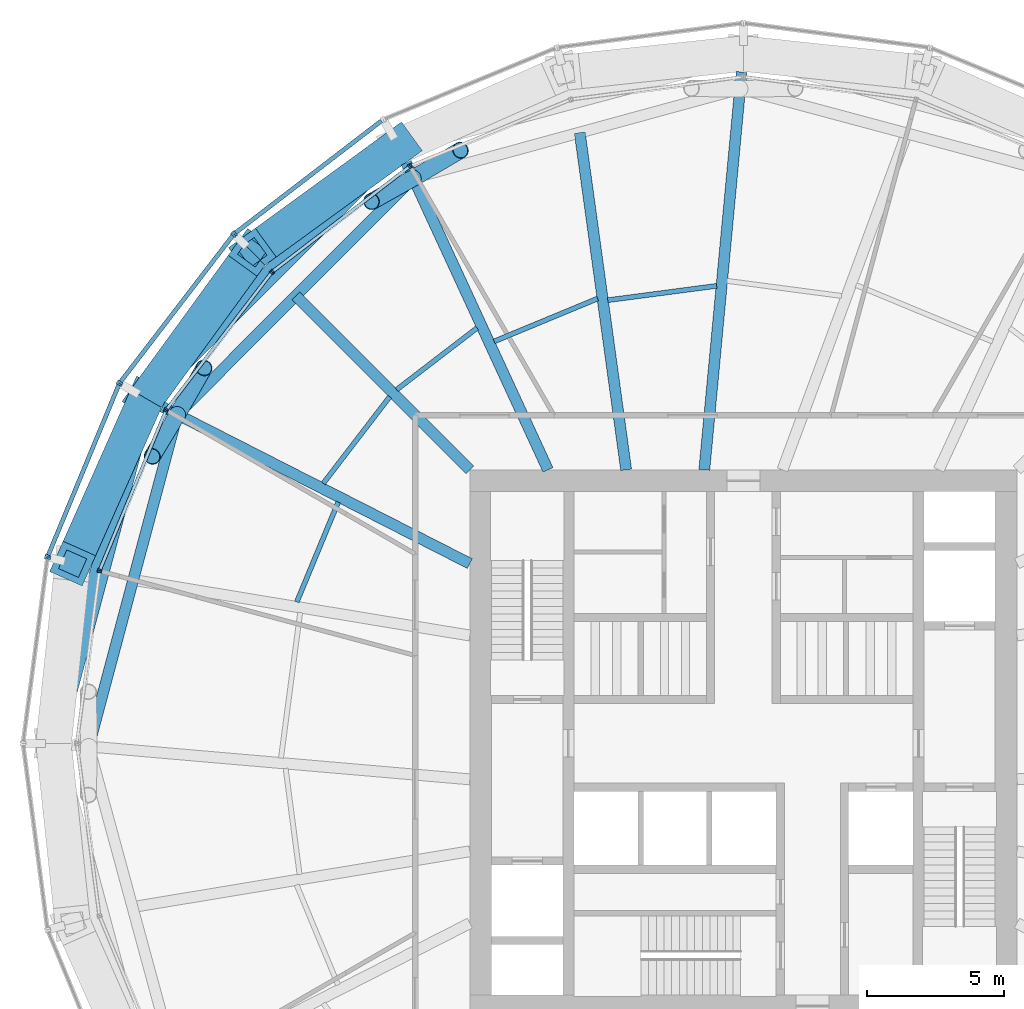
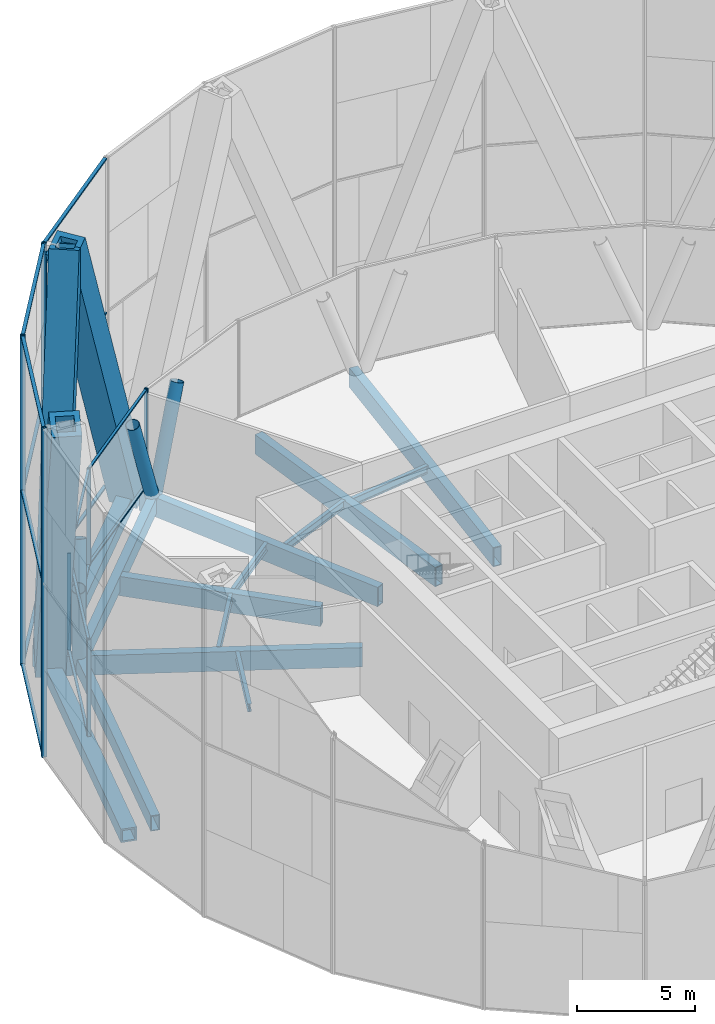
# One storey, part 6 of 16: 36 members, 14 beams, 9 elements without a shape of their own.
"""IFC4 building model written with IfcOpenShell, lengths in metres."""

from ifc_helpers import new_model, si_unit, direction, frame, origin, origin_2d, place, context, subcontext, project, spatial, rectangle, hollow_rectangle, hollow_circle, i_section, extrude, material, material_profile, profile_set, type_object, element, aggregate, save


model = new_model("IFC4")

# Units and contexts
model_context = context("Model", 3, precision=1e-05, world=origin(), true_north=direction((0.0, 1.0)))
body_context = subcontext(model_context, "Body", "Model", "MODEL_VIEW")
ifc_project = project(units=[si_unit("LENGTHUNIT", "METRE"), si_unit("AREAUNIT", "SQUARE_METRE"), si_unit("VOLUMEUNIT", "CUBIC_METRE"), si_unit("PLANEANGLEUNIT", "RADIAN"), si_unit("MASSUNIT", "GRAM", prefix="KILO")], contexts=[model_context])

# Site, building, storey
site_placement = place(None, origin())
site = spatial("IfcSite", under=ifc_project, at=site_placement, CompositionType="ELEMENT")
building_placement = place(site_placement, origin())
building = spatial("IfcBuilding", under=site, at=building_placement, Name="Golbaran Civic Tower", CompositionType="ELEMENT")
storey_placement = place(building_placement, frame((0.0, 0.0, 85.0)))
storey = spatial("IfcBuildingStorey", under=building, at=storey_placement, Name="L20", CompositionType="ELEMENT", Elevation=85.0)

# Members
ifc_material_1 = material(Name="Steel S355", Category="steel")
ifc_material_profile_1 = material_profile(ifc_material_1, hollow_circle(Radius=0.304931640625, WallThickness=0.02490234375, at=origin_2d()), Name="CHS 610.0x25")
ifc_profile_set_1 = profile_set([ifc_material_profile_1], Name="Steel S355")
member_type_1 = type_object("IfcMemberType", Name="BELT TRUSS DIAGONAL CHS 610.0x25", PredefinedType="BRACE", material=ifc_profile_set_1)
member_1_placement = place(storey_placement, frame((-12.065185546875, 20.6630859375, -0.60009765625), z_axis=(-0.288582653462, -0.161915925956, 0.943664816046), x_axis=(0.489315556037, -0.872106809181, 0.0)))
element("IfcMember", 1, at=member_1_placement, inside=storey, type_object=member_type_1, Name="Belt truss diagonal 120.00R L20", PredefinedType="BRACE", context=body_context, shape_type="SweptSolid", body=[
    extrude(hollow_circle(Radius=0.304931640625, WallThickness=0.02490234375, at=origin_2d()), origin(), (0.0, 0.0, 1.0), 5.298583984375),
])
member_2_placement = place(storey_placement, frame((-12.065185546875, 20.6630859375, -0.60009765625), z_axis=(0.319905106981, 0.189078107017, 0.928391184778), x_axis=(-0.50881561717, 0.860875523943, 0.0)))
element("IfcMember", 2, at=member_2_placement, inside=storey, type_object=member_type_1, Name="Belt truss diagonal 120.00L L20", PredefinedType="BRACE", context=body_context, shape_type="SweptSolid", body=[
    extrude(hollow_circle(Radius=0.304931640625, WallThickness=0.02490234375, at=origin_2d()), origin(), (0.0, 0.0, 1.0), 5.3857421875),
])
member_3_placement = place(storey_placement, frame((-20.688232421875, 12.021728515625, -0.60009765625), z_axis=(-0.17373343176, -0.288666900773, 0.941534978154), x_axis=(0.856793813137, -0.515659152707, 0.0)))
element("IfcMember", 3, at=member_3_placement, inside=storey, type_object=member_type_1, Name="Belt truss diagonal 150.00R L20", PredefinedType="BRACE", context=body_context, shape_type="SweptSolid", body=[
    extrude(hollow_circle(Radius=0.304931640625, WallThickness=0.02490234375, at=origin_2d()), origin(), (0.0, 0.0, 1.0), 5.310546875),
])
member_4_placement = place(storey_placement, frame((-20.688232421875, 12.021728515625, -0.60009765625), z_axis=(0.181029971918, 0.316779719821, 0.931063240805), x_axis=(-0.86822780606, 0.496165775507, 0.0)))
element("IfcMember", 4, at=member_4_placement, inside=storey, type_object=member_type_1, Name="Belt truss diagonal 150.00L L20", PredefinedType="BRACE", context=body_context, shape_type="SweptSolid", body=[
    extrude(hollow_circle(Radius=0.304931640625, WallThickness=0.02490234375, at=origin_2d()), origin(), (0.0, 0.0, 1.0), 5.3701171875),
])
ifc_material_profile_2 = material_profile(ifc_material_1, hollow_rectangle(XDim=1.300048828125, YDim=1.300048828125, WallThickness=0.25, at=origin_2d()), Name="BOX 1300x1300x250")
ifc_profile_set_2 = profile_set([ifc_material_profile_2], Name="Steel S355")
member_type_2 = type_object("IfcMemberType", Name="DIAGRID DIAGONAL BOX 1300x1300x250", PredefinedType="BRACE", material=ifc_profile_set_2)
for number, where, z_axis, x_axis, name in (
    (5, (-12.60546875, 21.833251953125, -0.7099609375), (-0.292875852707, -0.213080937127, 0.932105277924), (0.588316728149, -0.80863058771, 0.0), "Diagonal D04-04R L20-L24"),
    (6, (-21.833251953125, 12.60546875, -0.7099609375), (-0.14710040459, -0.330972563789, 0.932104410991), (0.913810024533, -0.406141895231, 0.0), "Diagonal D04-05R L20-L24"),
    (7, (-21.833251953125, 12.60546875, -0.7099609375), (0.213080937127, 0.292875852707, 0.932105277924), (-0.80863058771, 0.588316728149, 0.0), "Diagonal D04-05L L20-L24"),
):
    element("IfcMember", number, at=place(storey_placement, frame(where, z_axis=z_axis, x_axis=x_axis)), inside=storey, type_object=member_type_2, Name=name, PredefinedType="BRACE", context=body_context, shape_type="SweptSolid", body=[
        extrude(hollow_rectangle(XDim=1.300048828125, YDim=1.300048828125, WallThickness=0.25, at=origin_2d()), origin(), (0.0, 0.0, 1.0), 18.23828125),
    ])

# Beams
ifc_material_profile_3 = material_profile(ifc_material_1, hollow_rectangle(XDim=0.699951171875, YDim=0.699951171875, WallThickness=0.080078125, at=origin_2d()), Name="BOX 700x700x80")
ifc_profile_set_3 = profile_set([ifc_material_profile_3], Name="Steel S355")
beam_type_1 = type_object("IfcBeamType", Name="DIAGRID RING TIE BOX 700x700x80", PredefinedType="BEAM", material=ifc_profile_set_3)
for number, where, z_axis, x_axis, name in (
    (8, (-12.60546875, 21.833251953125, -0.7099609375), (-0.707106781187, -0.707106781187, 0.0), (0.707106781187, -0.707106781187, 0.0), "Ring tie 120.00 L20"),
    (9, (-21.833251953125, 12.60546875, -0.7099609375), (-0.258823361579, -0.965924669682, 0.0), (0.965924669682, -0.258823361579, 0.0), "Ring tie 150.00 L20"),
):
    element("IfcBeam", number, at=place(storey_placement, frame(where, z_axis=z_axis, x_axis=x_axis)), inside=storey, type_object=beam_type_1, Name=name, PredefinedType="BEAM", context=body_context, shape_type="SweptSolid", body=[
        extrude(hollow_rectangle(XDim=0.699951171875, YDim=0.699951171875, WallThickness=0.080078125, at=origin_2d()), origin(), (0.0, 0.0, 1.0), 13.050048828125),
    ])
ifc_material_profile_4 = material_profile(ifc_material_1, hollow_rectangle(XDim=0.39990234375, YDim=0.800048828125, WallThickness=0.0400390625, at=origin_2d()), Name="BOX 800x400x40")
ifc_profile_set_4 = profile_set([ifc_material_profile_4], Name="Steel S355")
beam_type_2 = type_object("IfcBeamType", Name="EDGE BEAM BOX 800x400x40", PredefinedType="BEAM", material=ifc_profile_set_4)
beam_1_placement = place(storey_placement, frame((-12.20068359375, 20.527099609375, -0.60009765625), z_axis=(-0.706363241549, -0.707849539795, 0.0), x_axis=(0.707849539795, -0.706363241549, 0.0)))
element("IfcBeam", 10, at=beam_1_placement, inside=storey, type_object=beam_type_2, Name="Edge beam 120.00 L20", PredefinedType="BEAM", context=body_context, shape_type="SweptSolid", body=[
    extrude(hollow_rectangle(XDim=0.39990234375, YDim=0.800048828125, WallThickness=0.0400390625, at=origin_2d()), origin(), (0.0, 0.0, 1.0), 11.82666015625),
])
beam_2_placement = place(storey_placement, frame((-20.73583984375, 11.84375, -0.60009765625), z_axis=(-0.257928144431, -0.966164102164, 0.0), x_axis=(0.966164102164, -0.257928144431, 0.0)))
element("IfcBeam", 11, at=beam_2_placement, inside=storey, type_object=beam_type_2, Name="Edge beam 150.00 L20", PredefinedType="BEAM", context=body_context, shape_type="SweptSolid", body=[
    extrude(hollow_rectangle(XDim=0.39990234375, YDim=0.800048828125, WallThickness=0.0400390625, at=origin_2d()), origin(), (0.0, 0.0, 1.0), 12.190673828125),
])
ifc_material_profile_5 = material_profile(ifc_material_1, i_section(OverallWidth=0.179931640625, OverallDepth=0.39990234375, WebThickness=0.008544921875, FlangeThickness=0.013427734375, FilletRadius=0.02099609375, at=origin_2d()), Name="IPE 400")
ifc_profile_set_5 = profile_set([ifc_material_profile_5], Name="Steel S355")
beam_type_3 = type_object("IfcBeamType", Name="FLOOR INFILL BEAM IPE 400", PredefinedType="BEAM", material=ifc_profile_set_5)
beam_3_placement = place(storey_placement, frame((-0.97802734375, 16.722412109375, -0.39990234375), z_axis=(-0.991442282273, -0.13054578094, 0.0), x_axis=(0.13054578094, -0.991442282273, 0.0)))
element("IfcBeam", 12, at=beam_3_placement, inside=storey, type_object=beam_type_3, Name="Infill beam 97.50 L20", PredefinedType="BEAM", context=body_context, shape_type="SweptSolid", body=[
    extrude(i_section(OverallWidth=0.179931640625, OverallDepth=0.39990234375, WebThickness=0.008544921875, FlangeThickness=0.013427734375, FilletRadius=0.02099609375, at=origin_2d()), origin(), (0.0, 0.0, 1.0), 4.013427734375),
])
beam_4_placement = place(storey_placement, frame((-5.328857421875, 16.2587890625, -0.39990234375), z_axis=(-0.923891810372, -0.382653789642, 0.0), x_axis=(0.382653789642, -0.923891810372, 0.0)))
element("IfcBeam", 13, at=beam_4_placement, inside=storey, type_object=beam_type_3, Name="Infill beam 112.50 L20", PredefinedType="BEAM", context=body_context, shape_type="SweptSolid", body=[
    extrude(i_section(OverallWidth=0.179931640625, OverallDepth=0.39990234375, WebThickness=0.008544921875, FlangeThickness=0.013427734375, FilletRadius=0.02099609375, at=origin_2d()), origin(), (0.0, 0.0, 1.0), 4.093505859375),
])
beam_5_placement = place(storey_placement, frame((-9.734130859375, 15.18359375, -0.39990234375), z_axis=(-0.793372973676, -0.60873584143, 0.0), x_axis=(0.60873584143, -0.793372973676, 0.0)))
element("IfcBeam", 14, at=beam_5_placement, inside=storey, type_object=beam_type_3, Name="Infill beam 127.50 L20", PredefinedType="BEAM", context=body_context, shape_type="SweptSolid", body=[
    extrude(i_section(OverallWidth=0.179931640625, OverallDepth=0.39990234375, WebThickness=0.008544921875, FlangeThickness=0.013427734375, FilletRadius=0.02099609375, at=origin_2d()), origin(), (0.0, 0.0, 1.0), 3.705078125),
])
beam_6_placement = place(storey_placement, frame((-12.92578125, 12.671142578125, -0.39990234375), z_axis=(-0.608761492102, -0.793353291878, 0.0), x_axis=(0.793353291878, -0.608761492102, 0.0)))
element("IfcBeam", 15, at=beam_6_placement, inside=storey, type_object=beam_type_3, Name="Infill beam 142.50 L20", PredefinedType="BEAM", context=body_context, shape_type="SweptSolid", body=[
    extrude(i_section(OverallWidth=0.179931640625, OverallDepth=0.39990234375, WebThickness=0.008544921875, FlangeThickness=0.013427734375, FilletRadius=0.02099609375, at=origin_2d()), origin(), (0.0, 0.0, 1.0), 3.99169921875),
])
beam_7_placement = place(storey_placement, frame((-14.808837890625, 8.821533203125, -0.39990234375), z_axis=(-0.382715474056, -0.923866259757, 0.0), x_axis=(0.923866259757, -0.382715474056, 0.0)))
element("IfcBeam", 16, at=beam_7_placement, inside=storey, type_object=beam_type_3, Name="Infill beam 157.50 L20", PredefinedType="BEAM", context=body_context, shape_type="SweptSolid", body=[
    extrude(i_section(OverallWidth=0.179931640625, OverallDepth=0.39990234375, WebThickness=0.008544921875, FlangeThickness=0.013427734375, FilletRadius=0.02099609375, at=origin_2d()), origin(), (0.0, 0.0, 1.0), 3.95263671875),
])

# Curtain wall, member
ifc_material_2 = material(Name="Aluminium and glass", Category="aluminium")
curtain_wall_type_1 = type_object("IfcCurtainWallType", Name="OUTER SKIN TERRACOTTA SCREEN", PredefinedType="NOTDEFINED", material=ifc_material_2)
curtain_wall_1_placement = place(storey_placement, origin())
curtain_wall_1 = element("IfcCurtainWall", 17, at=curtain_wall_1_placement, inside=storey, type_object=curtain_wall_type_1, Name="Outer skin L20 facet 9 CW3", ObjectType="OUTER SKIN", PredefinedType="USERDEFINED")
ifc_material_3 = material(Name="Aluminium", Category="aluminium")
ifc_material_profile_6 = material_profile(ifc_material_3, rectangle(XDim=0.219970703125, YDim=0.080078125, at=origin_2d()), Name="OUTER SKIN TERRACOTTA SCREEN MULLION")
ifc_profile_set_6 = profile_set([ifc_material_profile_6], Name="Aluminium")
member_type_3 = type_object("IfcMemberType", Name="OUTER SKIN TERRACOTTA SCREEN MULLION", PredefinedType="MULLION", material=ifc_profile_set_6)
member_5_placement = place(storey_placement, frame((-18.587158203125, 18.64306640625, -0.7099609375), z_axis=(0.0, 0.0, 1.0), x_axis=(0.608761429078, -0.793353340238, 0.0)))
member_5 = element("IfcMember", 18, at=member_5_placement, type_object=member_type_3, Name="CW3 mullion 2", PredefinedType="MULLION", context=body_context, shape_type="SweptSolid", body=[
    extrude(rectangle(XDim=0.219970703125, YDim=0.080078125, at=origin_2d()), origin(), (0.0, 0.0, 1.0), 17.0),
])

# Curtain wall, members
curtain_wall_2_placement = place(storey_placement, origin())
curtain_wall_2 = element("IfcCurtainWall", 19, at=curtain_wall_2_placement, inside=storey, type_object=curtain_wall_type_1, Name="Outer skin L20 facet 10 CW3", ObjectType="OUTER SKIN", PredefinedType="USERDEFINED")
member_6_placement = place(storey_placement, frame((-18.64306640625, 18.587158203125, -0.7099609375), z_axis=(0.0, 0.0, 1.0), x_axis=(0.793353340238, -0.608761429078, 0.0)))
member_6 = element("IfcMember", 20, at=member_6_placement, type_object=member_type_3, Name="CW3 mullion 1", PredefinedType="MULLION", context=body_context, shape_type="SweptSolid", body=[
    extrude(rectangle(XDim=0.219970703125, YDim=0.080078125, at=origin_2d()), origin(), (0.0, 0.0, 1.0), 17.0),
])
member_7_placement = place(storey_placement, frame((-22.779052734375, 13.197265625, -0.7099609375), z_axis=(0.0, 0.0, 1.0), x_axis=(0.793353340238, -0.608761429078, 0.0)))
member_7 = element("IfcMember", 21, at=member_7_placement, type_object=member_type_3, Name="CW3 mullion 2", PredefinedType="MULLION", context=body_context, shape_type="SweptSolid", body=[
    extrude(rectangle(XDim=0.219970703125, YDim=0.080078125, at=origin_2d()), origin(), (0.0, 0.0, 1.0), 17.0),
])

curtain_wall_3_placement = place(storey_placement, origin())
curtain_wall_3 = element("IfcCurtainWall", 22, at=curtain_wall_3_placement, inside=storey, type_object=curtain_wall_type_1, Name="Outer skin L20 facet 11 CW3", ObjectType="OUTER SKIN", PredefinedType="USERDEFINED")
member_8_placement = place(storey_placement, frame((-22.818603515625, 13.128662109375, -0.7099609375), z_axis=(0.0, 0.0, 1.0), x_axis=(0.923879532498, -0.382683432397, 0.0)))
member_8 = element("IfcMember", 23, at=member_8_placement, type_object=member_type_3, Name="CW3 mullion 1", PredefinedType="MULLION", context=body_context, shape_type="SweptSolid", body=[
    extrude(rectangle(XDim=0.219970703125, YDim=0.080078125, at=origin_2d()), origin(), (0.0, 0.0, 1.0), 17.0),
])
member_9_placement = place(storey_placement, frame((-25.41845703125, 6.851806640625, -0.7099609375), z_axis=(0.0, 0.0, 1.0), x_axis=(0.923879532498, -0.382683432397, 0.0)))
member_9 = element("IfcMember", 24, at=member_9_placement, type_object=member_type_3, Name="CW3 mullion 2", PredefinedType="MULLION", context=body_context, shape_type="SweptSolid", body=[
    extrude(rectangle(XDim=0.219970703125, YDim=0.080078125, at=origin_2d()), origin(), (0.0, 0.0, 1.0), 17.0),
])

# Curtain wall, member
curtain_wall_4_placement = place(storey_placement, origin())
curtain_wall_4 = element("IfcCurtainWall", 25, at=curtain_wall_4_placement, inside=storey, type_object=curtain_wall_type_1, Name="Outer skin L20 facet 12 CW3", ObjectType="OUTER SKIN", PredefinedType="USERDEFINED")
member_10_placement = place(storey_placement, frame((-25.43896484375, 6.775390625, -0.7099609375), z_axis=(0.0, 0.0, 1.0), x_axis=(0.991444861374, -0.13052619222, 0.0)))
member_10 = element("IfcMember", 26, at=member_10_placement, type_object=member_type_3, Name="CW3 mullion 1", PredefinedType="MULLION", context=body_context, shape_type="SweptSolid", body=[
    extrude(rectangle(XDim=0.219970703125, YDim=0.080078125, at=origin_2d()), origin(), (0.0, 0.0, 1.0), 17.0),
])
aggregate(curtain_wall_4, [member_10])

# Member
ifc_material_profile_7 = material_profile(ifc_material_3, rectangle(XDim=0.159912109375, YDim=0.080078125, at=origin_2d()), Name="OUTER SKIN TERRACOTTA SCREEN TRANSOM")
ifc_profile_set_7 = profile_set([ifc_material_profile_7], Name="Aluminium")
member_type_4 = type_object("IfcMemberType", Name="OUTER SKIN TERRACOTTA SCREEN TRANSOM", PredefinedType="USERDEFINED", material=ifc_profile_set_7)
member_11_placement = place(storey_placement, frame((-13.22900390625, 22.754638671875, -0.669921875), z_axis=(-0.793349351802, -0.608766626874, 0.0), x_axis=(0.608766626874, -0.793349351802, 0.0)))
member_11 = element("IfcMember", 27, at=member_11_placement, type_object=member_type_4, Name="CW3 transom 1.1", ObjectType="TRANSOM", PredefinedType="USERDEFINED", context=body_context, shape_type="SweptSolid", body=[
    extrude(rectangle(XDim=0.159912109375, YDim=0.080078125, at=origin_2d()), origin(), (0.0, 0.0, 1.0), 6.7138671875),
])

member_12_placement = place(storey_placement, frame((-13.22900390625, 22.754638671875, 8.2900390625), z_axis=(-0.793349351802, -0.608766626874, 0.0), x_axis=(0.608766626874, -0.793349351802, 0.0)))
member_12 = element("IfcMember", 28, at=member_12_placement, type_object=member_type_4, Name="CW3 transom 1.2", ObjectType="TRANSOM", PredefinedType="USERDEFINED", context=body_context, shape_type="SweptSolid", body=[
    extrude(rectangle(XDim=0.159912109375, YDim=0.080078125, at=origin_2d()), origin(), (0.0, 0.0, 1.0), 6.7138671875),
])

member_13_placement = place(storey_placement, frame((-13.22900390625, 22.754638671875, 16.25), z_axis=(-0.793349351802, -0.608766626874, 0.0), x_axis=(0.608766626874, -0.793349351802, 0.0)))
member_13 = element("IfcMember", 29, at=member_13_placement, type_object=member_type_4, Name="CW3 transom 1.3", ObjectType="TRANSOM", PredefinedType="USERDEFINED", context=body_context, shape_type="SweptSolid", body=[
    extrude(rectangle(XDim=0.159912109375, YDim=0.080078125, at=origin_2d()), origin(), (0.0, 0.0, 1.0), 6.7138671875),
])

aggregate(curtain_wall_1, [member_5, member_11, member_12, member_13])

member_14_placement = place(storey_placement, frame((-18.66748046875, 18.555419921875, -0.669921875), z_axis=(-0.608766626874, -0.793349351802, 0.0), x_axis=(0.793349351802, -0.608766626874, 0.0)))
member_14 = element("IfcMember", 30, at=member_14_placement, type_object=member_type_4, Name="CW3 transom 1.1", ObjectType="TRANSOM", PredefinedType="USERDEFINED", context=body_context, shape_type="SweptSolid", body=[
    extrude(rectangle(XDim=0.159912109375, YDim=0.080078125, at=origin_2d()), origin(), (0.0, 0.0, 1.0), 6.7138671875),
])

member_15_placement = place(storey_placement, frame((-18.66748046875, 18.555419921875, 8.2900390625), z_axis=(-0.608766626874, -0.793349351802, 0.0), x_axis=(0.793349351802, -0.608766626874, 0.0)))
member_15 = element("IfcMember", 31, at=member_15_placement, type_object=member_type_4, Name="CW3 transom 1.2", ObjectType="TRANSOM", PredefinedType="USERDEFINED", context=body_context, shape_type="SweptSolid", body=[
    extrude(rectangle(XDim=0.159912109375, YDim=0.080078125, at=origin_2d()), origin(), (0.0, 0.0, 1.0), 6.7138671875),
])

member_16_placement = place(storey_placement, frame((-18.66748046875, 18.555419921875, 16.25), z_axis=(-0.608766626874, -0.793349351802, 0.0), x_axis=(0.793349351802, -0.608766626874, 0.0)))
member_16 = element("IfcMember", 32, at=member_16_placement, type_object=member_type_4, Name="CW3 transom 1.3", ObjectType="TRANSOM", PredefinedType="USERDEFINED", context=body_context, shape_type="SweptSolid", body=[
    extrude(rectangle(XDim=0.159912109375, YDim=0.080078125, at=origin_2d()), origin(), (0.0, 0.0, 1.0), 6.7138671875),
])

aggregate(curtain_wall_2, [member_6, member_7, member_14, member_15, member_16])

member_17_placement = place(storey_placement, frame((-22.833984375, 13.091552734375, -0.669921875), z_axis=(-0.382667609507, -0.923886086395, 0.0), x_axis=(0.923886086395, -0.382667609507, 0.0)))
member_17 = element("IfcMember", 33, at=member_17_placement, type_object=member_type_4, Name="CW3 transom 1.1", ObjectType="TRANSOM", PredefinedType="USERDEFINED", context=body_context, shape_type="SweptSolid", body=[
    extrude(rectangle(XDim=0.159912109375, YDim=0.080078125, at=origin_2d()), origin(), (0.0, 0.0, 1.0), 6.713623046875),
])

member_18_placement = place(storey_placement, frame((-22.833984375, 13.091552734375, 8.2900390625), z_axis=(-0.382667609507, -0.923886086395, 0.0), x_axis=(0.923886086395, -0.382667609507, 0.0)))
member_18 = element("IfcMember", 34, at=member_18_placement, type_object=member_type_4, Name="CW3 transom 1.2", ObjectType="TRANSOM", PredefinedType="USERDEFINED", context=body_context, shape_type="SweptSolid", body=[
    extrude(rectangle(XDim=0.159912109375, YDim=0.080078125, at=origin_2d()), origin(), (0.0, 0.0, 1.0), 6.713623046875),
])

member_19_placement = place(storey_placement, frame((-22.833984375, 13.091552734375, 16.25), z_axis=(-0.382667609507, -0.923886086395, 0.0), x_axis=(0.923886086395, -0.382667609507, 0.0)))
member_19 = element("IfcMember", 35, at=member_19_placement, type_object=member_type_4, Name="CW3 transom 1.3", ObjectType="TRANSOM", PredefinedType="USERDEFINED", context=body_context, shape_type="SweptSolid", body=[
    extrude(rectangle(XDim=0.159912109375, YDim=0.080078125, at=origin_2d()), origin(), (0.0, 0.0, 1.0), 6.713623046875),
])

aggregate(curtain_wall_3, [member_8, member_9, member_17, member_18, member_19])

# Curtain wall, member
curtain_wall_type_2 = type_object("IfcCurtainWallType", Name="PLANT FLOOR LOUVRE WALL", PredefinedType="NOTDEFINED", material=ifc_material_2)
curtain_wall_5_placement = place(storey_placement, origin())
curtain_wall_5 = element("IfcCurtainWall", 36, at=curtain_wall_5_placement, inside=storey, type_object=curtain_wall_type_2, Name="Inner skin L20 facet 8 CW6", ObjectType="PLANT LOUVRE WALL", PredefinedType="USERDEFINED")
ifc_material_profile_8 = material_profile(ifc_material_3, rectangle(XDim=0.159912109375, YDim=0.070068359375, at=origin_2d()), Name="PLANT FLOOR LOUVRE WALL MULLION")
ifc_profile_set_8 = profile_set([ifc_material_profile_8], Name="Aluminium")
member_type_5 = type_object("IfcMemberType", Name="PLANT FLOOR LOUVRE WALL MULLION", PredefinedType="MULLION", material=ifc_profile_set_8)
member_20_placement = place(storey_placement, frame((-12.150634765625, 21.114990234375, 0.0), z_axis=(0.0, 0.0, 1.0), x_axis=(0.382683432268, -0.923879532551, 0.0)))
member_20 = element("IfcMember", 37, at=member_20_placement, type_object=member_type_5, Name="CW6 mullion 2", PredefinedType="MULLION", context=body_context, shape_type="SweptSolid", body=[
    extrude(rectangle(XDim=0.159912109375, YDim=0.070068359375, at=origin_2d()), origin(), (0.0, 0.0, 1.0), 5.0),
])
aggregate(curtain_wall_5, [member_20])

# Curtain wall, members
curtain_wall_6_placement = place(storey_placement, origin())
curtain_wall_6 = element("IfcCurtainWall", 38, at=curtain_wall_6_placement, inside=storey, type_object=curtain_wall_type_2, Name="Inner skin L20 facet 9 CW6", ObjectType="PLANT LOUVRE WALL", PredefinedType="USERDEFINED")
member_21_placement = place(storey_placement, frame((-12.210693359375, 21.080322265625, 0.0), z_axis=(0.0, 0.0, 1.0), x_axis=(0.608761429119, -0.793353340206, 0.0)))
member_21 = element("IfcMember", 39, at=member_21_placement, type_object=member_type_5, Name="CW6 mullion 1", PredefinedType="MULLION", context=body_context, shape_type="SweptSolid", body=[
    extrude(rectangle(XDim=0.159912109375, YDim=0.070068359375, at=origin_2d()), origin(), (0.0, 0.0, 1.0), 5.0),
])
member_22_placement = place(storey_placement, frame((-17.20166015625, 17.250732421875, 0.0), z_axis=(0.0, 0.0, 1.0), x_axis=(0.608761429119, -0.793353340206, 0.0)))
member_22 = element("IfcMember", 40, at=member_22_placement, type_object=member_type_5, Name="CW6 mullion 2", PredefinedType="MULLION", context=body_context, shape_type="SweptSolid", body=[
    extrude(rectangle(XDim=0.159912109375, YDim=0.070068359375, at=origin_2d()), origin(), (0.0, 0.0, 1.0), 5.0),
])

curtain_wall_7_placement = place(storey_placement, origin())
curtain_wall_7 = element("IfcCurtainWall", 41, at=curtain_wall_7_placement, inside=storey, type_object=curtain_wall_type_2, Name="Inner skin L20 facet 10 CW6", ObjectType="PLANT LOUVRE WALL", PredefinedType="USERDEFINED")
member_23_placement = place(storey_placement, frame((-17.250732421875, 17.20166015625, 0.0), z_axis=(0.0, 0.0, 1.0), x_axis=(0.793353340206, -0.608761429119, 0.0)))
member_23 = element("IfcMember", 42, at=member_23_placement, type_object=member_type_5, Name="CW6 mullion 1", PredefinedType="MULLION", context=body_context, shape_type="SweptSolid", body=[
    extrude(rectangle(XDim=0.159912109375, YDim=0.070068359375, at=origin_2d()), origin(), (0.0, 0.0, 1.0), 5.0),
])
member_24_placement = place(storey_placement, frame((-21.080322265625, 12.210693359375, 0.0), z_axis=(0.0, 0.0, 1.0), x_axis=(0.793353340206, -0.608761429119, 0.0)))
member_24 = element("IfcMember", 43, at=member_24_placement, type_object=member_type_5, Name="CW6 mullion 2", PredefinedType="MULLION", context=body_context, shape_type="SweptSolid", body=[
    extrude(rectangle(XDim=0.159912109375, YDim=0.070068359375, at=origin_2d()), origin(), (0.0, 0.0, 1.0), 5.0),
])

curtain_wall_8_placement = place(storey_placement, origin())
curtain_wall_8 = element("IfcCurtainWall", 44, at=curtain_wall_8_placement, inside=storey, type_object=curtain_wall_type_2, Name="Inner skin L20 facet 11 CW6", ObjectType="PLANT LOUVRE WALL", PredefinedType="USERDEFINED")
member_25_placement = place(storey_placement, frame((-21.114990234375, 12.150634765625, 0.0), z_axis=(0.0, 0.0, 1.0), x_axis=(0.923879532551, -0.382683432268, 0.0)))
member_25 = element("IfcMember", 45, at=member_25_placement, type_object=member_type_5, Name="CW6 mullion 1", PredefinedType="MULLION", context=body_context, shape_type="SweptSolid", body=[
    extrude(rectangle(XDim=0.159912109375, YDim=0.070068359375, at=origin_2d()), origin(), (0.0, 0.0, 1.0), 5.0),
])
member_26_placement = place(storey_placement, frame((-23.5224609375, 6.338623046875, 0.0), z_axis=(0.0, 0.0, 1.0), x_axis=(0.923879532551, -0.382683432268, 0.0)))
member_26 = element("IfcMember", 46, at=member_26_placement, type_object=member_type_5, Name="CW6 mullion 2", PredefinedType="MULLION", context=body_context, shape_type="SweptSolid", body=[
    extrude(rectangle(XDim=0.159912109375, YDim=0.070068359375, at=origin_2d()), origin(), (0.0, 0.0, 1.0), 5.0),
])

# Curtain wall, member
curtain_wall_9_placement = place(storey_placement, origin())
curtain_wall_9 = element("IfcCurtainWall", 47, at=curtain_wall_9_placement, inside=storey, type_object=curtain_wall_type_2, Name="Inner skin L20 facet 12 CW6", ObjectType="PLANT LOUVRE WALL", PredefinedType="USERDEFINED")
member_27_placement = place(storey_placement, frame((-23.540283203125, 6.271728515625, 0.0), z_axis=(0.0, 0.0, 1.0), x_axis=(0.991444861367, -0.130526192272, 0.0)))
member_27 = element("IfcMember", 48, at=member_27_placement, type_object=member_type_5, Name="CW6 mullion 1", PredefinedType="MULLION", context=body_context, shape_type="SweptSolid", body=[
    extrude(rectangle(XDim=0.159912109375, YDim=0.070068359375, at=origin_2d()), origin(), (0.0, 0.0, 1.0), 5.0),
])
aggregate(curtain_wall_9, [member_27])

# Member
ifc_material_profile_9 = material_profile(ifc_material_3, rectangle(XDim=0.1201171875, YDim=0.070068359375, at=origin_2d()), Name="PLANT FLOOR LOUVRE WALL TRANSOM")
ifc_profile_set_9 = profile_set([ifc_material_profile_9], Name="Aluminium")
member_type_6 = type_object("IfcMemberType", Name="PLANT FLOOR LOUVRE WALL TRANSOM", PredefinedType="USERDEFINED", material=ifc_profile_set_9)
member_28_placement = place(storey_placement, frame((-12.238525390625, 21.05908203125, 0.034912109375), z_axis=(-0.793344148669, -0.608773407576, 0.0), x_axis=(0.608773407576, -0.793344148669, 0.0)))
member_28 = element("IfcMember", 49, at=member_28_placement, type_object=member_type_6, Name="CW6 transom 1.1", ObjectType="TRANSOM", PredefinedType="USERDEFINED", context=body_context, shape_type="SweptSolid", body=[
    extrude(rectangle(XDim=0.1201171875, YDim=0.070068359375, at=origin_2d()), origin(), (0.0, 0.0, 1.0), 6.220947265625),
])

member_29_placement = place(storey_placement, frame((-12.238525390625, 21.05908203125, 4.965087890625), z_axis=(-0.793344148669, -0.608773407576, 0.0), x_axis=(0.608773407576, -0.793344148669, 0.0)))
member_29 = element("IfcMember", 50, at=member_29_placement, type_object=member_type_6, Name="CW6 transom 1.2", ObjectType="TRANSOM", PredefinedType="USERDEFINED", context=body_context, shape_type="SweptSolid", body=[
    extrude(rectangle(XDim=0.1201171875, YDim=0.070068359375, at=origin_2d()), origin(), (0.0, 0.0, 1.0), 6.220947265625),
])

aggregate(curtain_wall_6, [member_21, member_22, member_28, member_29])

member_30_placement = place(storey_placement, frame((-17.27197265625, 17.173828125, 0.034912109375), z_axis=(-0.608773407576, -0.793344148669, 0.0), x_axis=(0.793344148669, -0.608773407576, 0.0)))
member_30 = element("IfcMember", 51, at=member_30_placement, type_object=member_type_6, Name="CW6 transom 1.1", ObjectType="TRANSOM", PredefinedType="USERDEFINED", context=body_context, shape_type="SweptSolid", body=[
    extrude(rectangle(XDim=0.1201171875, YDim=0.070068359375, at=origin_2d()), origin(), (0.0, 0.0, 1.0), 6.220947265625),
])

member_31_placement = place(storey_placement, frame((-17.27197265625, 17.173828125, 4.965087890625), z_axis=(-0.608773407576, -0.793344148669, 0.0), x_axis=(0.793344148669, -0.608773407576, 0.0)))
member_31 = element("IfcMember", 52, at=member_31_placement, type_object=member_type_6, Name="CW6 transom 1.2", ObjectType="TRANSOM", PredefinedType="USERDEFINED", context=body_context, shape_type="SweptSolid", body=[
    extrude(rectangle(XDim=0.1201171875, YDim=0.070068359375, at=origin_2d()), origin(), (0.0, 0.0, 1.0), 6.220947265625),
])

aggregate(curtain_wall_7, [member_23, member_24, member_30, member_31])

member_32_placement = place(storey_placement, frame((-21.12841796875, 12.118408203125, 0.034912109375), z_axis=(-0.382683383062, -0.923879552933, 0.0), x_axis=(0.923879552933, -0.382683383062, 0.0)))
member_32 = element("IfcMember", 53, at=member_32_placement, type_object=member_type_6, Name="CW6 transom 1.1", ObjectType="TRANSOM", PredefinedType="USERDEFINED", context=body_context, shape_type="SweptSolid", body=[
    extrude(rectangle(XDim=0.1201171875, YDim=0.070068359375, at=origin_2d()), origin(), (0.0, 0.0, 1.0), 6.220947265625),
])

member_33_placement = place(storey_placement, frame((-21.12841796875, 12.118408203125, 4.965087890625), z_axis=(-0.382683383062, -0.923879552933, 0.0), x_axis=(0.923879552933, -0.382683383062, 0.0)))
member_33 = element("IfcMember", 54, at=member_33_placement, type_object=member_type_6, Name="CW6 transom 1.2", ObjectType="TRANSOM", PredefinedType="USERDEFINED", context=body_context, shape_type="SweptSolid", body=[
    extrude(rectangle(XDim=0.1201171875, YDim=0.070068359375, at=origin_2d()), origin(), (0.0, 0.0, 1.0), 6.220947265625),
])

aggregate(curtain_wall_8, [member_25, member_26, member_32, member_33])

# Beams
ifc_material_profile_10 = material_profile(ifc_material_1, hollow_rectangle(XDim=0.39990234375, YDim=1.0, WallThickness=0.0400390625, at=origin_2d()), Name="BOX 1000x400x40")
ifc_profile_set_10 = profile_set([ifc_material_profile_10], Name="Steel S355")
beam_type_4 = type_object("IfcBeamType", Name="RADIAL FLOOR BEAM BOX 1000x400x40", PredefinedType="BEAM", material=ifc_profile_set_10)
beam_8_placement = place(storey_placement, frame((-1.428466796875, 10.0, -0.7099609375), z_axis=(0.093489863226, 0.995620231551, 0.0), x_axis=(-0.995620231551, 0.093489863226, 0.0)))
element("IfcBeam", 55, at=beam_8_placement, inside=storey, type_object=beam_type_4, Name="Radial beam 90.00 L20", PredefinedType="BEAM", context=body_context, shape_type="SweptSolid", body=[
    extrude(hollow_rectangle(XDim=0.39990234375, YDim=1.0, WallThickness=0.0400390625, at=origin_2d()), origin(), (0.0, 0.0, 1.0), 14.60302734375),
])
beam_9_placement = place(storey_placement, frame((-7.142822265625, 10.0, -0.7099609375), z_axis=(-0.419127075414, 0.907927582274, 0.0), x_axis=(-0.907927582274, -0.419127075414, 0.0)))
element("IfcBeam", 56, at=beam_9_placement, inside=storey, type_object=beam_type_4, Name="Radial beam 120.00 L20", PredefinedType="BEAM", context=body_context, shape_type="SweptSolid", body=[
    extrude(hollow_rectangle(XDim=0.39990234375, YDim=1.0, WallThickness=0.0400390625, at=origin_2d()), origin(), (0.0, 0.0, 1.0), 12.35888671875),
])
beam_10_placement = place(storey_placement, frame((-10.0, 6.571533203125, -0.7099609375), z_axis=(-0.890865453521, 0.454267260237, 0.0), x_axis=(-0.454267260237, -0.890865453521, 0.0)))
element("IfcBeam", 57, at=beam_10_placement, inside=storey, type_object=beam_type_4, Name="Radial beam 150.00 L20", PredefinedType="BEAM", context=body_context, shape_type="SweptSolid", body=[
    extrude(hollow_rectangle(XDim=0.39990234375, YDim=1.0, WallThickness=0.0400390625, at=origin_2d()), origin(), (0.0, 0.0, 1.0), 12.615234375),
])
ifc_material_profile_11 = material_profile(ifc_material_1, hollow_rectangle(XDim=0.39990234375, YDim=1.0, WallThickness=0.0400390625, at=origin_2d()), Name="BOX 1000x400x40")
ifc_profile_set_11 = profile_set([ifc_material_profile_11], Name="Steel S355")
beam_type_5 = type_object("IfcBeamType", Name="SECONDARY FLOOR BEAM BOX 1000x400x40", PredefinedType="BEAM", material=ifc_profile_set_11)
beam_11_placement = place(storey_placement, frame((-4.28564453125, 10.0, -0.7099609375), z_axis=(-0.136359168618, 0.990659465777, 0.0), x_axis=(-0.990659465777, -0.136359168618, 0.0)))
element("IfcBeam", 58, at=beam_11_placement, inside=storey, type_object=beam_type_5, Name="Secondary beam 105.00 L20", PredefinedType="BEAM", context=body_context, shape_type="SweptSolid", body=[
    extrude(hollow_rectangle(XDim=0.39990234375, YDim=1.0, WallThickness=0.0400390625, at=origin_2d()), origin(), (0.0, 0.0, 1.0), 12.441650390625),
])
beam_12_placement = place(storey_placement, frame((-10.0, 10.0, -0.7099609375), z_axis=(-0.707106781187, 0.707106781187, 0.0), x_axis=(-0.707106781187, -0.707106781187, 0.0)))
element("IfcBeam", 59, at=beam_12_placement, inside=storey, type_object=beam_type_5, Name="Secondary beam 135.00 L20", PredefinedType="BEAM", context=body_context, shape_type="SweptSolid", body=[
    extrude(hollow_rectangle(XDim=0.39990234375, YDim=1.0, WallThickness=0.0400390625, at=origin_2d()), origin(), (0.0, 0.0, 1.0), 8.993896484375),
])

save(model, "model.ifc")
